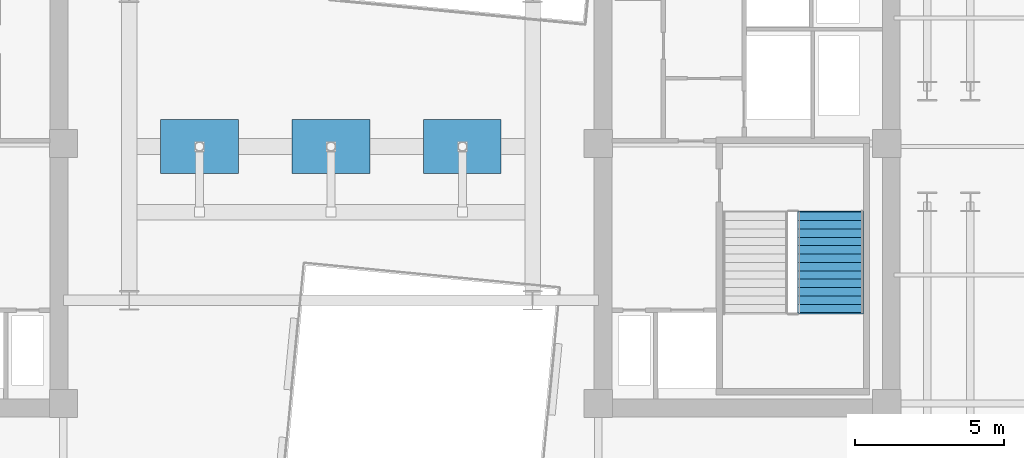
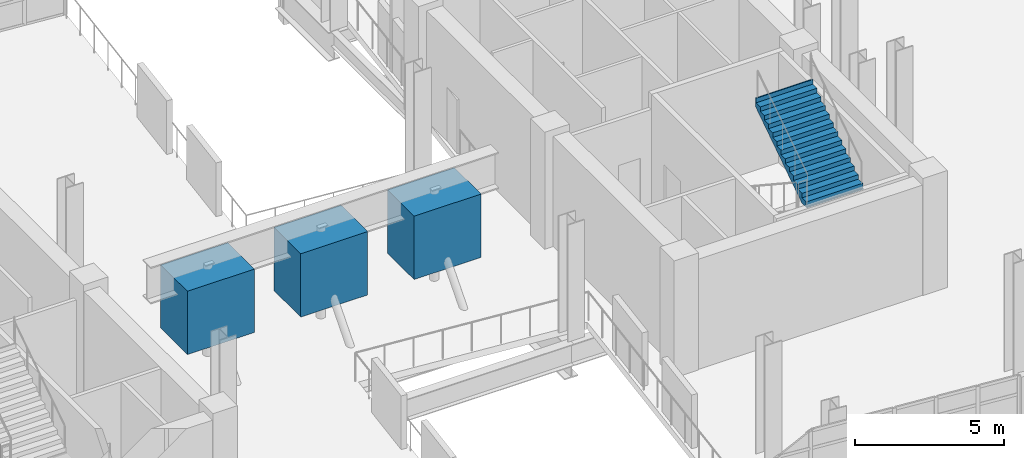
# One storey, part 14 of 16: 3 discrete accessories, 1 stair flight, 1 element without a shape of its own.
"""IFC4 building model written with IfcOpenShell, lengths in metres."""

from ifc_helpers import new_model, si_unit, direction, frame, origin, origin_2d, place, context, subcontext, project, spatial, polyline, rectangle, outline, extrude, material, layer, layer_set, type_object, element, aggregate, save


model = new_model("IFC4")

# Units and contexts
model_context = context("Model", 3, precision=1e-05, world=origin(), true_north=direction((0.0, 1.0)))
body_context = subcontext(model_context, "Body", "Model", "MODEL_VIEW")
ifc_project = project(units=[si_unit("LENGTHUNIT", "METRE"), si_unit("AREAUNIT", "SQUARE_METRE"), si_unit("VOLUMEUNIT", "CUBIC_METRE"), si_unit("PLANEANGLEUNIT", "RADIAN"), si_unit("MASSUNIT", "GRAM", prefix="KILO")], contexts=[model_context])

# Site, building, storey
site_placement = place(None, origin())
site = spatial("IfcSite", under=ifc_project, at=site_placement, CompositionType="ELEMENT")
building_placement = place(site_placement, origin())
building = spatial("IfcBuilding", under=site, at=building_placement, Name="Velakula Bourse", CompositionType="ELEMENT")
storey_placement = place(building_placement, frame((0.0, 0.0, 199.5)))
storey = spatial("IfcBuildingStorey", under=building, at=storey_placement, Name="L54", CompositionType="ELEMENT", Elevation=199.5)

# Stair, stair flight
ifc_material_1 = material(Name="Concrete M45 (fck 45 MPa)", Category="concrete")
stair_type = type_object("IfcStairType", Name="STR-DOG-480", PredefinedType="HALF_TURN_STAIR", material=ifc_material_1)
stair_placement = place(storey_placement, origin())
stair = element("IfcStair", 1, at=stair_placement, inside=storey, type_object=stair_type, Name="L54 East Core Exit Stair ST-E1", PredefinedType="HALF_TURN_STAIR")
ifc_layer = layer(ifc_material_1, 0.199951171875, Name="Concrete M45 (fck 45 MPa)", Category="concrete")
ifc_layer_set = layer_set([ifc_layer], Name="Concrete M45 (fck 45 MPa)")
stair_flight_type = type_object("IfcStairFlightType", Name="FLT-DOG-480", PredefinedType="STRAIGHT", material=ifc_layer_set)
stair_flight_placement = place(storey_placement, frame((16.720947265625, -5.56005859375, 2.39990234375), z_axis=(0.0, 0.0, 1.0), x_axis=(0.0, 1.0, 0.0)))
stair_flight = element("IfcStairFlight", 2, at=stair_flight_placement, type_object=stair_flight_type, Name="ST-E1 flight 2", NumberOfRisers=13, NumberOfTreads=12, PredefinedType="STRAIGHT", RiserHeight=0.184615385, TreadLength=0.28, context=body_context, shape_type="SweptSolid", body=[
    extrude(outline(polyline([(-0.044921875, -0.0400390625), (-0.044921875, -0.036865234375), (-0.044921875, -0.033935546875), (-0.044921875, -0.03076171875), (-0.044921875, -0.027587890625), (-0.044921875, -0.024658203125), (-0.044921875, -0.021484375), (-0.044921875, -0.0185546875), (-0.044921875, -0.015380859375), (-0.044921875, -0.01220703125), (-0.044921875, -0.00927734375), (-0.044921875, -0.006103515625), (-0.044921875, -0.003173828125), (-0.044921875, 0.0), (0.0, 0.0), (0.0, 0.1845703125), (0.280029296875, 0.1845703125), (0.280029296875, 0.369140625), (0.56005859375, 0.369140625), (0.56005859375, 0.553955078125), (0.840087890625, 0.553955078125), (0.840087890625, 0.738525390625), (1.1201171875, 0.738525390625), (1.1201171875, 0.923095703125), (1.39990234375, 0.923095703125), (1.39990234375, 1.107666015625), (1.679931640625, 1.107666015625), (1.679931640625, 1.292236328125), (1.9599609375, 1.292236328125), (1.9599609375, 1.476806640625), (2.239990234375, 1.476806640625), (2.239990234375, 1.66162109375), (2.52001953125, 1.66162109375), (2.52001953125, 1.84619140625), (2.800048828125, 1.84619140625), (2.800048828125, 2.03076171875), (3.080078125, 2.03076171875), (3.080078125, 2.21533203125), (3.360107421875, 2.21533203125), (3.360107421875, 2.39990234375), (3.405029296875, 2.39990234375), (3.405029296875, 2.3740234375), (3.405029296875, 2.347900390625), (3.405029296875, 2.322021484375), (3.405029296875, 2.2958984375), (3.405029296875, 2.27001953125), (3.405029296875, 2.243896484375), (3.405029296875, 2.218017578125), (3.405029296875, 2.19189453125), (3.405029296875, 2.165771484375), (3.405029296875, 2.139892578125), (3.405029296875, 2.11376953125), (3.405029296875, 2.087890625), (3.405029296875, 2.061767578125), (3.405029296875, 2.035888671875), (0.272216796875, -0.0400390625), (-0.044921875, -0.0400390625)])), frame((0.0, 1.09912109375, 0.0), z_axis=(0.0, -1.0, 0.0), x_axis=(1.0, 0.0, 0.0)), (0.0, 0.0, 1.0), 2.197998046875),
])
aggregate(stair, [stair_flight])

# Discrete accessories
ifc_material_2 = material(Name="Steel IS 2062 Grade 350 (E350)", Category="steel")
discrete_accessory_type = type_object("IfcDiscreteAccessoryType", Name="ACC-WIND-TURBINE", PredefinedType="USERDEFINED", material=ifc_material_2)
for number, where, z_axis, x_axis, name in (
    (3, (-4.39990234375, 0.0, 0.9599609375), (0.0, 0.0, 1.0), (1.0, 0.0, 0.0), "L54 Horizontal-Axis Shrouded Wind Turbine Assembly 1"),
    (4, (0.0, 0.0, 0.9599609375), (0.0, 0.0, 1.0), (1.0, 0.0, 0.0), "L54 Horizontal-Axis Shrouded Wind Turbine Assembly 2"),
    (5, (4.39990234375, 0.0, 0.9599609375), (0.0, 0.0, 1.0), (1.0, 0.0, 0.0), "L54 Horizontal-Axis Shrouded Wind Turbine Assembly 3"),
):
    element("IfcDiscreteAccessory", number, at=place(storey_placement, frame(where, z_axis=z_axis, x_axis=x_axis)), inside=storey, type_object=discrete_accessory_type, Name=name, ObjectType="WIND TURBINE ROTOR", PredefinedType="USERDEFINED", context=body_context, shape_type="SweptSolid", body=[
        extrude(rectangle(XDim=2.60009765625, YDim=1.800048828125, at=origin_2d()), origin(), (0.0, 0.0, 1.0), 2.60009765625),
    ])

save(model, "model.ifc")
